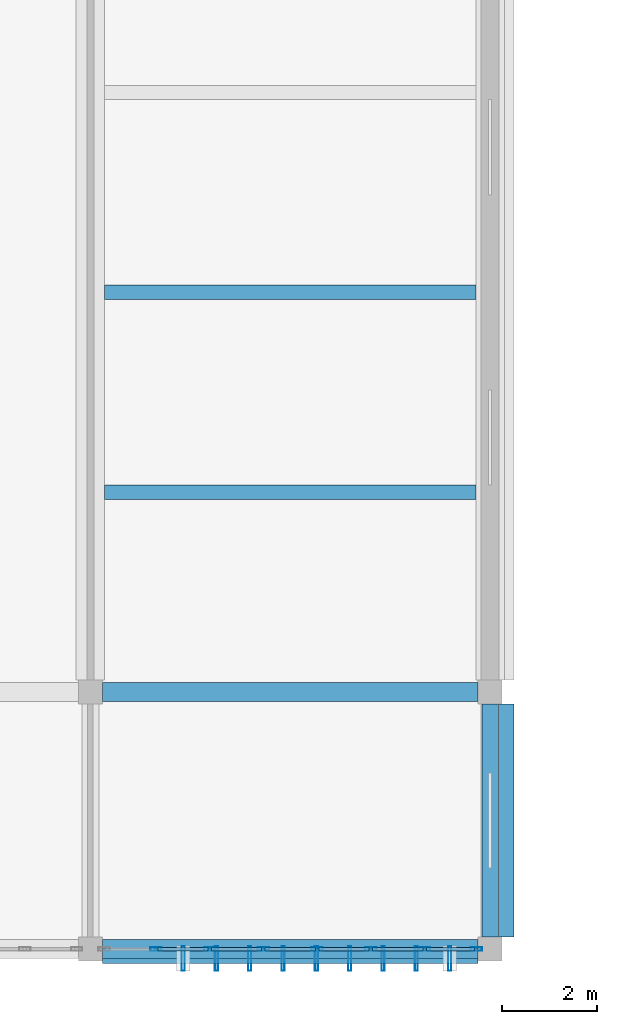
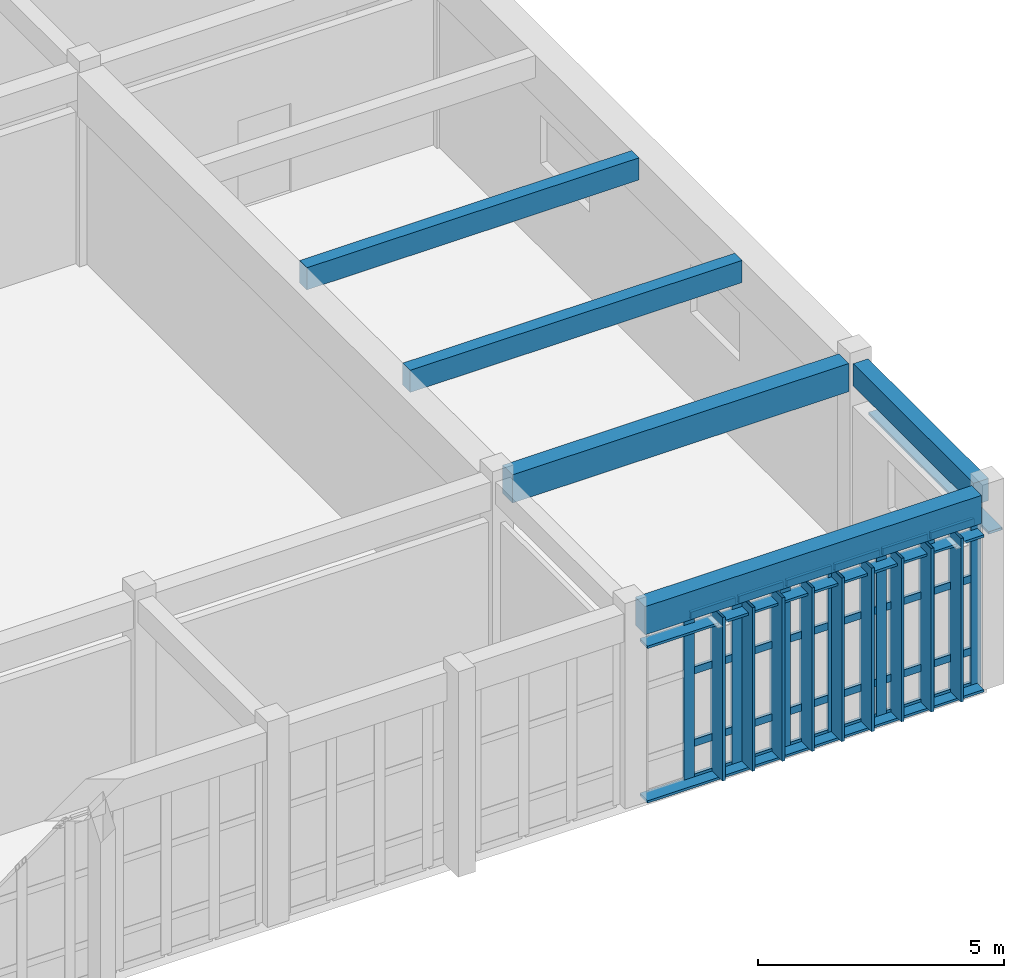
# One storey, part 46 of 93: 43 members, 5 beams, 1 element without a shape of its own.
"""IFC4 building model written with IfcOpenShell, lengths in metres."""

from ifc_helpers import new_model, si_unit, direction, frame, origin, origin_2d, place, context, subcontext, project, spatial, rectangle, hollow_rectangle, extrude, material, layer, layer_set, material_profile, profile_set, type_object, element, aggregate, save


model = new_model("IFC4")

# Units and contexts
model_context = context("Model", 3, precision=1e-05, world=origin(), true_north=direction((0.0, 1.0)))
body_context = subcontext(model_context, "Body", "Model", "MODEL_VIEW")
ifc_project = project(units=[si_unit("LENGTHUNIT", "METRE"), si_unit("AREAUNIT", "SQUARE_METRE"), si_unit("VOLUMEUNIT", "CUBIC_METRE"), si_unit("PLANEANGLEUNIT", "RADIAN"), si_unit("MASSUNIT", "GRAM", prefix="KILO")], contexts=[model_context])

# Site, building, storey
site_placement = place(None, origin())
site = spatial("IfcSite", under=ifc_project, at=site_placement, CompositionType="ELEMENT")
building_placement = place(site_placement, origin())
building = spatial("IfcBuilding", under=site, at=building_placement, Name="Krzemoval Escarpment Law Courts", CompositionType="ELEMENT")
storey_placement = place(building_placement, frame((0.0, 0.0, 10.199951171875)))
storey = spatial("IfcBuildingStorey", under=building, at=storey_placement, Name="L02", CompositionType="ELEMENT", Elevation=10.199951171875)

# Beams
ifc_material_1 = material(Name="Concrete C40/50", Category="concrete")
ifc_material_profile_1 = material_profile(ifc_material_1, rectangle(XDim=0.35009765625, YDim=0.550048828125, at=origin_2d()), Name="RCB 350x550")
ifc_profile_set_1 = profile_set([ifc_material_profile_1], Name="Concrete C40/50")
beam_type_1 = type_object("IfcBeamType", Name="BM-RC-350x550", PredefinedType="BEAM", material=ifc_profile_set_1)
beam_placement = place(storey_placement, frame((151.199951171875, 0.25, 4.545166015625), z_axis=(0.0, 1.0, 0.0), x_axis=(-1.0, 0.0, 0.0)))
element("IfcBeam", 1, at=beam_placement, inside=storey, type_object=beam_type_1, Name="Beam FG-L02-1987", PredefinedType="BEAM", context=body_context, shape_type="SweptSolid", body=[
    extrude(rectangle(XDim=0.35009765625, YDim=0.550048828125, at=origin_2d()), origin(), (0.0, 0.0, 1.0), 4.89990234375),
])
ifc_material_2 = material(Name="Concrete C40/50", Category="concrete")
ifc_material_profile_2 = material_profile(ifc_material_2, rectangle(XDim=0.39990234375, YDim=0.699951171875, at=origin_2d()), Name="RCB 400x700")
ifc_profile_set_2 = profile_set([ifc_material_profile_2], Name="Concrete C40/50")
beam_type_2 = type_object("IfcBeamType", Name="BM-RC-400x700", PredefinedType="BEAM", material=ifc_profile_set_2)
for number, where, z_axis, x_axis, name in (
    (2, (143.050048828125, 0.0, 4.469970703125), (1.0, 0.0, 0.0), (0.0, 1.0, 0.0), "Beam FG-L02-1720"),
    (3, (143.050048828125, 5.39990234375, 4.469970703125), (1.0, 0.0, 0.0), (0.0, 1.0, 0.0), "Beam FG-L02-1737"),
):
    element("IfcBeam", number, at=place(storey_placement, frame(where, z_axis=z_axis, x_axis=x_axis)), inside=storey, type_object=beam_type_2, Name=name, PredefinedType="BEAM", context=body_context, shape_type="SweptSolid", body=[
        extrude(rectangle(XDim=0.39990234375, YDim=0.699951171875, at=origin_2d()), origin(), (0.0, 0.0, 1.0), 7.89990234375),
    ])

# Curtain wall, members
ifc_material_3 = material(Name="Aluminium 6063-T6", Category="aluminium")
ifc_layer = layer(ifc_material_3, 0.239990234375)
ifc_layer_set = layer_set([ifc_layer], Name="Aluminium 6063-T6")
curtain_wall_type = type_object("IfcCurtainWallType", Name="CW-LIBR-4800", PredefinedType="USERDEFINED", material=ifc_layer_set)
curtain_wall_placement = place(storey_placement, origin())
curtain_wall = element("IfcCurtainWall", 4, at=curtain_wall_placement, inside=storey, type_object=curtain_wall_type, Name="Unitised Curtain Wall FCW-L02-081", ObjectType="UNITISED_CURTAIN_WALL", PredefinedType="USERDEFINED")
ifc_material_4 = material(Name="Aluminium 6063-T6", Category="aluminium")
ifc_material_profile_3 = material_profile(ifc_material_4, hollow_rectangle(XDim=0.074951171875, YDim=0.239990234375, WallThickness=0.0048828125, at=origin_2d()), Name="ALU M75x240")
ifc_profile_set_3 = profile_set([ifc_material_profile_3], Name="Aluminium 6063-T6")
member_type_1 = type_object("IfcMemberType", Name="CWM-75x240", PredefinedType="MULLION", material=ifc_profile_set_3)
member_1_placement = place(storey_placement, frame((150.91259765625, 0.0, 0.0), z_axis=(0.0, 0.0, 1.0), x_axis=(0.0, -1.0, 0.0)))
member_1 = element("IfcMember", 5, at=member_1_placement, type_object=member_type_1, Name="FCW-L02-081 mullion 1", PredefinedType="MULLION", context=body_context, shape_type="SweptSolid", body=[
    extrude(hollow_rectangle(XDim=0.074951171875, YDim=0.239990234375, WallThickness=0.0048828125, at=origin_2d()), origin(), (0.0, 0.0, 1.0), 4.1201171875),
])
member_2_placement = place(storey_placement, frame((149.821533203125, 0.0, 0.0), z_axis=(0.0, 0.0, 1.0), x_axis=(0.0, -1.0, 0.0)))
member_2 = element("IfcMember", 6, at=member_2_placement, type_object=member_type_1, Name="FCW-L02-081 mullion 2", PredefinedType="MULLION", context=body_context, shape_type="SweptSolid", body=[
    extrude(hollow_rectangle(XDim=0.074951171875, YDim=0.239990234375, WallThickness=0.0048828125, at=origin_2d()), origin(), (0.0, 0.0, 1.0), 4.1201171875),
])
member_3_placement = place(storey_placement, frame((148.69287109375, 0.0, 0.0), z_axis=(0.0, 0.0, 1.0), x_axis=(0.0, -1.0, 0.0)))
member_3 = element("IfcMember", 7, at=member_3_placement, type_object=member_type_1, Name="FCW-L02-081 mullion 3", PredefinedType="MULLION", context=body_context, shape_type="SweptSolid", body=[
    extrude(hollow_rectangle(XDim=0.074951171875, YDim=0.239990234375, WallThickness=0.0048828125, at=origin_2d()), origin(), (0.0, 0.0, 1.0), 4.1201171875),
])
member_4_placement = place(storey_placement, frame((147.564208984375, 0.0, 0.0), z_axis=(0.0, 0.0, 1.0), x_axis=(0.0, -1.0, 0.0)))
member_4 = element("IfcMember", 8, at=member_4_placement, type_object=member_type_1, Name="FCW-L02-081 mullion 4", PredefinedType="MULLION", context=body_context, shape_type="SweptSolid", body=[
    extrude(hollow_rectangle(XDim=0.074951171875, YDim=0.239990234375, WallThickness=0.0048828125, at=origin_2d()), origin(), (0.0, 0.0, 1.0), 4.1201171875),
])
member_5_placement = place(storey_placement, frame((146.435791015625, 0.0, 0.0), z_axis=(0.0, 0.0, 1.0), x_axis=(0.0, -1.0, 0.0)))
member_5 = element("IfcMember", 9, at=member_5_placement, type_object=member_type_1, Name="FCW-L02-081 mullion 5", PredefinedType="MULLION", context=body_context, shape_type="SweptSolid", body=[
    extrude(hollow_rectangle(XDim=0.074951171875, YDim=0.239990234375, WallThickness=0.0048828125, at=origin_2d()), origin(), (0.0, 0.0, 1.0), 4.1201171875),
])
member_6_placement = place(storey_placement, frame((145.30712890625, 0.0, 0.0), z_axis=(0.0, 0.0, 1.0), x_axis=(0.0, -1.0, 0.0)))
member_6 = element("IfcMember", 10, at=member_6_placement, type_object=member_type_1, Name="FCW-L02-081 mullion 6", PredefinedType="MULLION", context=body_context, shape_type="SweptSolid", body=[
    extrude(hollow_rectangle(XDim=0.074951171875, YDim=0.239990234375, WallThickness=0.0048828125, at=origin_2d()), origin(), (0.0, 0.0, 1.0), 4.1201171875),
])
member_7_placement = place(storey_placement, frame((144.178466796875, 0.0, 0.0), z_axis=(0.0, 0.0, 1.0), x_axis=(0.0, -1.0, 0.0)))
member_7 = element("IfcMember", 11, at=member_7_placement, type_object=member_type_1, Name="FCW-L02-081 mullion 7", PredefinedType="MULLION", context=body_context, shape_type="SweptSolid", body=[
    extrude(hollow_rectangle(XDim=0.074951171875, YDim=0.239990234375, WallThickness=0.0048828125, at=origin_2d()), origin(), (0.0, 0.0, 1.0), 4.1201171875),
])
ifc_material_5 = material(Name="Aluminium 6063-T6", Category="aluminium")
ifc_material_profile_4 = material_profile(ifc_material_5, hollow_rectangle(XDim=0.074951171875, YDim=0.179931640625, WallThickness=0.0048828125, at=origin_2d()), Name="ALU T75x180")
ifc_profile_set_4 = profile_set([ifc_material_profile_4], Name="Aluminium 6063-T6")
member_type_2 = type_object("IfcMemberType", Name="CWT-75x180", PredefinedType="USERDEFINED", material=ifc_profile_set_4)
member_8_placement = place(storey_placement, frame((150.875, 0.0, 0.03759765625), z_axis=(-1.0, 0.0, 0.0), x_axis=(0.0, -1.0, 0.0)))
member_8 = element("IfcMember", 12, at=member_8_placement, type_object=member_type_2, Name="FCW-L02-081 transom 1.1", ObjectType="TRANSOM", PredefinedType="USERDEFINED", context=body_context, shape_type="SweptSolid", body=[
    extrude(hollow_rectangle(XDim=0.074951171875, YDim=0.179931640625, WallThickness=0.0048828125, at=origin_2d()), origin(), (0.0, 0.0, 1.0), 1.01611328125),
])
member_9_placement = place(storey_placement, frame((150.875, 0.0, 0.900146484375), z_axis=(-1.0, 0.0, 0.0), x_axis=(0.0, -1.0, 0.0)))
member_9 = element("IfcMember", 13, at=member_9_placement, type_object=member_type_2, Name="FCW-L02-081 transom 1.2", ObjectType="TRANSOM", PredefinedType="USERDEFINED", context=body_context, shape_type="SweptSolid", body=[
    extrude(hollow_rectangle(XDim=0.074951171875, YDim=0.179931640625, WallThickness=0.0048828125, at=origin_2d()), origin(), (0.0, 0.0, 1.0), 1.01611328125),
])
member_10_placement = place(storey_placement, frame((150.875, 0.0, 2.699951171875), z_axis=(-1.0, 0.0, 0.0), x_axis=(0.0, -1.0, 0.0)))
member_10 = element("IfcMember", 14, at=member_10_placement, type_object=member_type_2, Name="FCW-L02-081 transom 1.3", ObjectType="TRANSOM", PredefinedType="USERDEFINED", context=body_context, shape_type="SweptSolid", body=[
    extrude(hollow_rectangle(XDim=0.074951171875, YDim=0.179931640625, WallThickness=0.0048828125, at=origin_2d()), origin(), (0.0, 0.0, 1.0), 1.01611328125),
])
member_11_placement = place(storey_placement, frame((150.875, 0.0, 4.08251953125), z_axis=(-1.0, 0.0, 0.0), x_axis=(0.0, -1.0, 0.0)))
member_11 = element("IfcMember", 15, at=member_11_placement, type_object=member_type_2, Name="FCW-L02-081 transom 1.4", ObjectType="TRANSOM", PredefinedType="USERDEFINED", context=body_context, shape_type="SweptSolid", body=[
    extrude(hollow_rectangle(XDim=0.074951171875, YDim=0.179931640625, WallThickness=0.0048828125, at=origin_2d()), origin(), (0.0, 0.0, 1.0), 1.01611328125),
])
member_12_placement = place(storey_placement, frame((149.783935546875, 0.0, 0.03759765625), z_axis=(-1.0, 0.0, 0.0), x_axis=(0.0, -1.0, 0.0)))
member_12 = element("IfcMember", 16, at=member_12_placement, type_object=member_type_2, Name="FCW-L02-081 transom 2.1", ObjectType="TRANSOM", PredefinedType="USERDEFINED", context=body_context, shape_type="SweptSolid", body=[
    extrude(hollow_rectangle(XDim=0.074951171875, YDim=0.179931640625, WallThickness=0.0048828125, at=origin_2d()), origin(), (0.0, 0.0, 1.0), 1.053466796875),
])
member_13_placement = place(storey_placement, frame((149.783935546875, 0.0, 0.900146484375), z_axis=(-1.0, 0.0, 0.0), x_axis=(0.0, -1.0, 0.0)))
member_13 = element("IfcMember", 17, at=member_13_placement, type_object=member_type_2, Name="FCW-L02-081 transom 2.2", ObjectType="TRANSOM", PredefinedType="USERDEFINED", context=body_context, shape_type="SweptSolid", body=[
    extrude(hollow_rectangle(XDim=0.074951171875, YDim=0.179931640625, WallThickness=0.0048828125, at=origin_2d()), origin(), (0.0, 0.0, 1.0), 1.053466796875),
])
member_14_placement = place(storey_placement, frame((149.783935546875, 0.0, 2.699951171875), z_axis=(-1.0, 0.0, 0.0), x_axis=(0.0, -1.0, 0.0)))
member_14 = element("IfcMember", 18, at=member_14_placement, type_object=member_type_2, Name="FCW-L02-081 transom 2.3", ObjectType="TRANSOM", PredefinedType="USERDEFINED", context=body_context, shape_type="SweptSolid", body=[
    extrude(hollow_rectangle(XDim=0.074951171875, YDim=0.179931640625, WallThickness=0.0048828125, at=origin_2d()), origin(), (0.0, 0.0, 1.0), 1.053466796875),
])
member_15_placement = place(storey_placement, frame((149.783935546875, 0.0, 4.08251953125), z_axis=(-1.0, 0.0, 0.0), x_axis=(0.0, -1.0, 0.0)))
member_15 = element("IfcMember", 19, at=member_15_placement, type_object=member_type_2, Name="FCW-L02-081 transom 2.4", ObjectType="TRANSOM", PredefinedType="USERDEFINED", context=body_context, shape_type="SweptSolid", body=[
    extrude(hollow_rectangle(XDim=0.074951171875, YDim=0.179931640625, WallThickness=0.0048828125, at=origin_2d()), origin(), (0.0, 0.0, 1.0), 1.053466796875),
])
member_16_placement = place(storey_placement, frame((148.6552734375, 0.0, 0.03759765625), z_axis=(-1.0, 0.0, 0.0), x_axis=(0.0, -1.0, 0.0)))
member_16 = element("IfcMember", 20, at=member_16_placement, type_object=member_type_2, Name="FCW-L02-081 transom 3.1", ObjectType="TRANSOM", PredefinedType="USERDEFINED", context=body_context, shape_type="SweptSolid", body=[
    extrude(hollow_rectangle(XDim=0.074951171875, YDim=0.179931640625, WallThickness=0.0048828125, at=origin_2d()), origin(), (0.0, 0.0, 1.0), 1.053466796875),
])
member_17_placement = place(storey_placement, frame((148.6552734375, 0.0, 0.900146484375), z_axis=(-1.0, 0.0, 0.0), x_axis=(0.0, -1.0, 0.0)))
member_17 = element("IfcMember", 21, at=member_17_placement, type_object=member_type_2, Name="FCW-L02-081 transom 3.2", ObjectType="TRANSOM", PredefinedType="USERDEFINED", context=body_context, shape_type="SweptSolid", body=[
    extrude(hollow_rectangle(XDim=0.074951171875, YDim=0.179931640625, WallThickness=0.0048828125, at=origin_2d()), origin(), (0.0, 0.0, 1.0), 1.053466796875),
])
member_18_placement = place(storey_placement, frame((148.6552734375, 0.0, 2.699951171875), z_axis=(-1.0, 0.0, 0.0), x_axis=(0.0, -1.0, 0.0)))
member_18 = element("IfcMember", 22, at=member_18_placement, type_object=member_type_2, Name="FCW-L02-081 transom 3.3", ObjectType="TRANSOM", PredefinedType="USERDEFINED", context=body_context, shape_type="SweptSolid", body=[
    extrude(hollow_rectangle(XDim=0.074951171875, YDim=0.179931640625, WallThickness=0.0048828125, at=origin_2d()), origin(), (0.0, 0.0, 1.0), 1.053466796875),
])
member_19_placement = place(storey_placement, frame((148.6552734375, 0.0, 4.08251953125), z_axis=(-1.0, 0.0, 0.0), x_axis=(0.0, -1.0, 0.0)))
member_19 = element("IfcMember", 23, at=member_19_placement, type_object=member_type_2, Name="FCW-L02-081 transom 3.4", ObjectType="TRANSOM", PredefinedType="USERDEFINED", context=body_context, shape_type="SweptSolid", body=[
    extrude(hollow_rectangle(XDim=0.074951171875, YDim=0.179931640625, WallThickness=0.0048828125, at=origin_2d()), origin(), (0.0, 0.0, 1.0), 1.053466796875),
])
member_20_placement = place(storey_placement, frame((147.52685546875, 0.0, 0.03759765625), z_axis=(-1.0, 0.0, 0.0), x_axis=(0.0, -1.0, 0.0)))
member_20 = element("IfcMember", 24, at=member_20_placement, type_object=member_type_2, Name="FCW-L02-081 transom 4.1", ObjectType="TRANSOM", PredefinedType="USERDEFINED", context=body_context, shape_type="SweptSolid", body=[
    extrude(hollow_rectangle(XDim=0.074951171875, YDim=0.179931640625, WallThickness=0.0048828125, at=origin_2d()), origin(), (0.0, 0.0, 1.0), 1.0537109375),
])
member_21_placement = place(storey_placement, frame((147.52685546875, 0.0, 0.900146484375), z_axis=(-1.0, 0.0, 0.0), x_axis=(0.0, -1.0, 0.0)))
member_21 = element("IfcMember", 25, at=member_21_placement, type_object=member_type_2, Name="FCW-L02-081 transom 4.2", ObjectType="TRANSOM", PredefinedType="USERDEFINED", context=body_context, shape_type="SweptSolid", body=[
    extrude(hollow_rectangle(XDim=0.074951171875, YDim=0.179931640625, WallThickness=0.0048828125, at=origin_2d()), origin(), (0.0, 0.0, 1.0), 1.0537109375),
])
member_22_placement = place(storey_placement, frame((147.52685546875, 0.0, 2.699951171875), z_axis=(-1.0, 0.0, 0.0), x_axis=(0.0, -1.0, 0.0)))
member_22 = element("IfcMember", 26, at=member_22_placement, type_object=member_type_2, Name="FCW-L02-081 transom 4.3", ObjectType="TRANSOM", PredefinedType="USERDEFINED", context=body_context, shape_type="SweptSolid", body=[
    extrude(hollow_rectangle(XDim=0.074951171875, YDim=0.179931640625, WallThickness=0.0048828125, at=origin_2d()), origin(), (0.0, 0.0, 1.0), 1.0537109375),
])
member_23_placement = place(storey_placement, frame((147.52685546875, 0.0, 4.08251953125), z_axis=(-1.0, 0.0, 0.0), x_axis=(0.0, -1.0, 0.0)))
member_23 = element("IfcMember", 27, at=member_23_placement, type_object=member_type_2, Name="FCW-L02-081 transom 4.4", ObjectType="TRANSOM", PredefinedType="USERDEFINED", context=body_context, shape_type="SweptSolid", body=[
    extrude(hollow_rectangle(XDim=0.074951171875, YDim=0.179931640625, WallThickness=0.0048828125, at=origin_2d()), origin(), (0.0, 0.0, 1.0), 1.0537109375),
])
member_24_placement = place(storey_placement, frame((146.398193359375, 0.0, 0.03759765625), z_axis=(-1.0, 0.0, 0.0), x_axis=(0.0, -1.0, 0.0)))
member_24 = element("IfcMember", 28, at=member_24_placement, type_object=member_type_2, Name="FCW-L02-081 transom 5.1", ObjectType="TRANSOM", PredefinedType="USERDEFINED", context=body_context, shape_type="SweptSolid", body=[
    extrude(hollow_rectangle(XDim=0.074951171875, YDim=0.179931640625, WallThickness=0.0048828125, at=origin_2d()), origin(), (0.0, 0.0, 1.0), 1.053466796875),
])
member_25_placement = place(storey_placement, frame((146.398193359375, 0.0, 0.900146484375), z_axis=(-1.0, 0.0, 0.0), x_axis=(0.0, -1.0, 0.0)))
member_25 = element("IfcMember", 29, at=member_25_placement, type_object=member_type_2, Name="FCW-L02-081 transom 5.2", ObjectType="TRANSOM", PredefinedType="USERDEFINED", context=body_context, shape_type="SweptSolid", body=[
    extrude(hollow_rectangle(XDim=0.074951171875, YDim=0.179931640625, WallThickness=0.0048828125, at=origin_2d()), origin(), (0.0, 0.0, 1.0), 1.053466796875),
])
member_26_placement = place(storey_placement, frame((146.398193359375, 0.0, 2.699951171875), z_axis=(-1.0, 0.0, 0.0), x_axis=(0.0, -1.0, 0.0)))
member_26 = element("IfcMember", 30, at=member_26_placement, type_object=member_type_2, Name="FCW-L02-081 transom 5.3", ObjectType="TRANSOM", PredefinedType="USERDEFINED", context=body_context, shape_type="SweptSolid", body=[
    extrude(hollow_rectangle(XDim=0.074951171875, YDim=0.179931640625, WallThickness=0.0048828125, at=origin_2d()), origin(), (0.0, 0.0, 1.0), 1.053466796875),
])
member_27_placement = place(storey_placement, frame((146.398193359375, 0.0, 4.08251953125), z_axis=(-1.0, 0.0, 0.0), x_axis=(0.0, -1.0, 0.0)))
member_27 = element("IfcMember", 31, at=member_27_placement, type_object=member_type_2, Name="FCW-L02-081 transom 5.4", ObjectType="TRANSOM", PredefinedType="USERDEFINED", context=body_context, shape_type="SweptSolid", body=[
    extrude(hollow_rectangle(XDim=0.074951171875, YDim=0.179931640625, WallThickness=0.0048828125, at=origin_2d()), origin(), (0.0, 0.0, 1.0), 1.053466796875),
])
member_28_placement = place(storey_placement, frame((145.26953125, 0.0, 0.03759765625), z_axis=(-1.0, 0.0, 0.0), x_axis=(0.0, -1.0, 0.0)))
member_28 = element("IfcMember", 32, at=member_28_placement, type_object=member_type_2, Name="FCW-L02-081 transom 6.1", ObjectType="TRANSOM", PredefinedType="USERDEFINED", context=body_context, shape_type="SweptSolid", body=[
    extrude(hollow_rectangle(XDim=0.074951171875, YDim=0.179931640625, WallThickness=0.0048828125, at=origin_2d()), origin(), (0.0, 0.0, 1.0), 1.053466796875),
])
member_29_placement = place(storey_placement, frame((145.26953125, 0.0, 0.900146484375), z_axis=(-1.0, 0.0, 0.0), x_axis=(0.0, -1.0, 0.0)))
member_29 = element("IfcMember", 33, at=member_29_placement, type_object=member_type_2, Name="FCW-L02-081 transom 6.2", ObjectType="TRANSOM", PredefinedType="USERDEFINED", context=body_context, shape_type="SweptSolid", body=[
    extrude(hollow_rectangle(XDim=0.074951171875, YDim=0.179931640625, WallThickness=0.0048828125, at=origin_2d()), origin(), (0.0, 0.0, 1.0), 1.053466796875),
])
member_30_placement = place(storey_placement, frame((145.26953125, 0.0, 2.699951171875), z_axis=(-1.0, 0.0, 0.0), x_axis=(0.0, -1.0, 0.0)))
member_30 = element("IfcMember", 34, at=member_30_placement, type_object=member_type_2, Name="FCW-L02-081 transom 6.3", ObjectType="TRANSOM", PredefinedType="USERDEFINED", context=body_context, shape_type="SweptSolid", body=[
    extrude(hollow_rectangle(XDim=0.074951171875, YDim=0.179931640625, WallThickness=0.0048828125, at=origin_2d()), origin(), (0.0, 0.0, 1.0), 1.053466796875),
])
member_31_placement = place(storey_placement, frame((145.26953125, 0.0, 4.08251953125), z_axis=(-1.0, 0.0, 0.0), x_axis=(0.0, -1.0, 0.0)))
member_31 = element("IfcMember", 35, at=member_31_placement, type_object=member_type_2, Name="FCW-L02-081 transom 6.4", ObjectType="TRANSOM", PredefinedType="USERDEFINED", context=body_context, shape_type="SweptSolid", body=[
    extrude(hollow_rectangle(XDim=0.074951171875, YDim=0.179931640625, WallThickness=0.0048828125, at=origin_2d()), origin(), (0.0, 0.0, 1.0), 1.053466796875),
])
aggregate(curtain_wall, [member_1, member_2, member_3, member_4, member_5, member_6, member_7, member_8, member_9, member_10, member_11, member_12, member_13, member_14, member_15, member_16, member_17, member_18, member_19, member_20, member_21, member_22, member_23, member_24, member_25, member_26, member_27, member_28, member_29, member_30, member_31])

# Beams
ifc_material_6 = material(Name="Concrete C40/50", Category="concrete")
ifc_material_profile_5 = material_profile(ifc_material_6, rectangle(XDim=0.300048828125, YDim=0.550048828125, at=origin_2d()), Name="RCB 300x550")
ifc_profile_set_5 = profile_set([ifc_material_profile_5], Name="Concrete C40/50")
beam_type_3 = type_object("IfcBeamType", Name="JST-RC-300x550", PredefinedType="JOIST", material=ifc_profile_set_5)
for number, where, z_axis, x_axis, name in (
    (36, (143.10009765625, 9.60009765625, 4.545166015625), (1.0, 0.0, 0.0), (0.0, 1.0, 0.0), "Secondary Joist FJ-L02-2072"),
    (37, (143.10009765625, 13.800048828125, 4.545166015625), (1.0, 0.0, 0.0), (0.0, 1.0, 0.0), "Secondary Joist FJ-L02-2073"),
):
    element("IfcBeam", number, at=place(storey_placement, frame(where, z_axis=z_axis, x_axis=x_axis)), inside=storey, type_object=beam_type_3, Name=name, PredefinedType="JOIST", context=body_context, shape_type="SweptSolid", body=[
        extrude(rectangle(XDim=0.300048828125, YDim=0.550048828125, at=origin_2d()), origin(), (0.0, 0.0, 1.0), 7.7998046875),
    ])

# Members
ifc_material_7 = material(Name="Anodised Aluminium Alloy 6063-T6", Category="aluminium")
ifc_material_profile_6 = material_profile(ifc_material_7, hollow_rectangle(XDim=0.06005859375, YDim=0.320068359375, WallThickness=0.00390625, at=origin_2d()), Name="ALU LVR 60x320")
ifc_profile_set_6 = profile_set([ifc_material_profile_6], Name="Anodised Aluminium Alloy 6063-T6")
member_type_3 = type_object("IfcMemberType", Name="LVR-ALU-320", PredefinedType="USERDEFINED", material=ifc_profile_set_6)
member_32_placement = place(storey_placement, frame((151.5400390625, 5.14990234375, 3.4599609375), z_axis=(0.0, -1.0, 0.0), x_axis=(0.0, 0.0, 1.0)))
element("IfcMember", 38, at=member_32_placement, inside=storey, type_object=member_type_3, Name="Window Sunshade Louvre FLV-L02-0531", ObjectType="SUNSHADE_LOUVRE", PredefinedType="USERDEFINED", context=body_context, shape_type="SweptSolid", body=[
    extrude(hollow_rectangle(XDim=0.06005859375, YDim=0.320068359375, WallThickness=0.00390625, at=origin_2d()), origin(), (0.0, 0.0, 1.0), 4.89990234375),
])
for number, where, z_axis, x_axis, name in (
    (39, (150.949951171875, -0.139892578125, 0.030029296875), (-1.0, 0.0, 0.0), (0.0, 0.0, 1.0), "Sunshade Support Rail FSR-L02-0532"),
    (40, (150.949951171875, -0.139892578125, 3.8701171875), (-1.0, 0.0, 0.0), (0.0, 0.0, 1.0), "Sunshade Support Rail FSR-L02-0533"),
):
    element("IfcMember", number, at=place(storey_placement, frame(where, z_axis=z_axis, x_axis=x_axis)), inside=storey, type_object=member_type_3, Name=name, ObjectType="SUNSHADE_LOUVRE", PredefinedType="USERDEFINED", context=body_context, shape_type="SweptSolid", body=[
        extrude(hollow_rectangle(XDim=0.06005859375, YDim=0.320068359375, WallThickness=0.00390625, at=origin_2d()), origin(), (0.0, 0.0, 1.0), 7.89990234375),
    ])
ifc_material_8 = material(Name="Anodised Aluminium Alloy 6063-T6", Category="aluminium")
ifc_material_profile_7 = material_profile(ifc_material_8, hollow_rectangle(XDim=0.06494140625, YDim=0.52001953125, WallThickness=0.00439453125, at=origin_2d()), Name="ALU LVR 65x520")
ifc_profile_set_7 = profile_set([ifc_material_profile_7], Name="Anodised Aluminium Alloy 6063-T6")
member_type_4 = type_object("IfcMemberType", Name="LVR-ALU-520", PredefinedType="USERDEFINED", material=ifc_profile_set_7)
for number, where, z_axis, x_axis, name in (
    (41, (150.35009765625, -0.199951171875, 0.06005859375), (0.0, 0.0, 1.0), (1.0, 0.0, 0.0), "Sunshade Louvre Fin FLV-L02-0534"),
    (42, (149.64990234375, -0.199951171875, 0.06005859375), (0.0, 0.0, 1.0), (1.0, 0.0, 0.0), "Sunshade Louvre Fin FLV-L02-0535"),
    (43, (148.949951171875, -0.199951171875, 0.06005859375), (0.0, 0.0, 1.0), (1.0, 0.0, 0.0), "Sunshade Louvre Fin FLV-L02-0536"),
    (44, (148.25, -0.199951171875, 0.06005859375), (0.0, 0.0, 1.0), (1.0, 0.0, 0.0), "Sunshade Louvre Fin FLV-L02-0537"),
    (45, (147.550048828125, -0.199951171875, 0.06005859375), (0.0, 0.0, 1.0), (1.0, 0.0, 0.0), "Sunshade Louvre Fin FLV-L02-0538"),
    (46, (146.85009765625, -0.199951171875, 0.06005859375), (0.0, 0.0, 1.0), (1.0, 0.0, 0.0), "Sunshade Louvre Fin FLV-L02-0539"),
    (47, (146.14990234375, -0.199951171875, 0.06005859375), (0.0, 0.0, 1.0), (1.0, 0.0, 0.0), "Sunshade Louvre Fin FLV-L02-0540"),
    (48, (145.449951171875, -0.199951171875, 0.06005859375), (0.0, 0.0, 1.0), (1.0, 0.0, 0.0), "Sunshade Louvre Fin FLV-L02-0541"),
    (49, (144.75, -0.199951171875, 0.06005859375), (0.0, 0.0, 1.0), (1.0, 0.0, 0.0), "Sunshade Louvre Fin FLV-L02-0542"),
):
    element("IfcMember", number, at=place(storey_placement, frame(where, z_axis=z_axis, x_axis=x_axis)), inside=storey, type_object=member_type_4, Name=name, ObjectType="SUNSHADE_LOUVRE", PredefinedType="USERDEFINED", context=body_context, shape_type="SweptSolid", body=[
        extrude(hollow_rectangle(XDim=0.06494140625, YDim=0.52001953125, WallThickness=0.00439453125, at=origin_2d()), origin(), (0.0, 0.0, 1.0), 4.06005859375),
    ])

save(model, "model.ifc")
